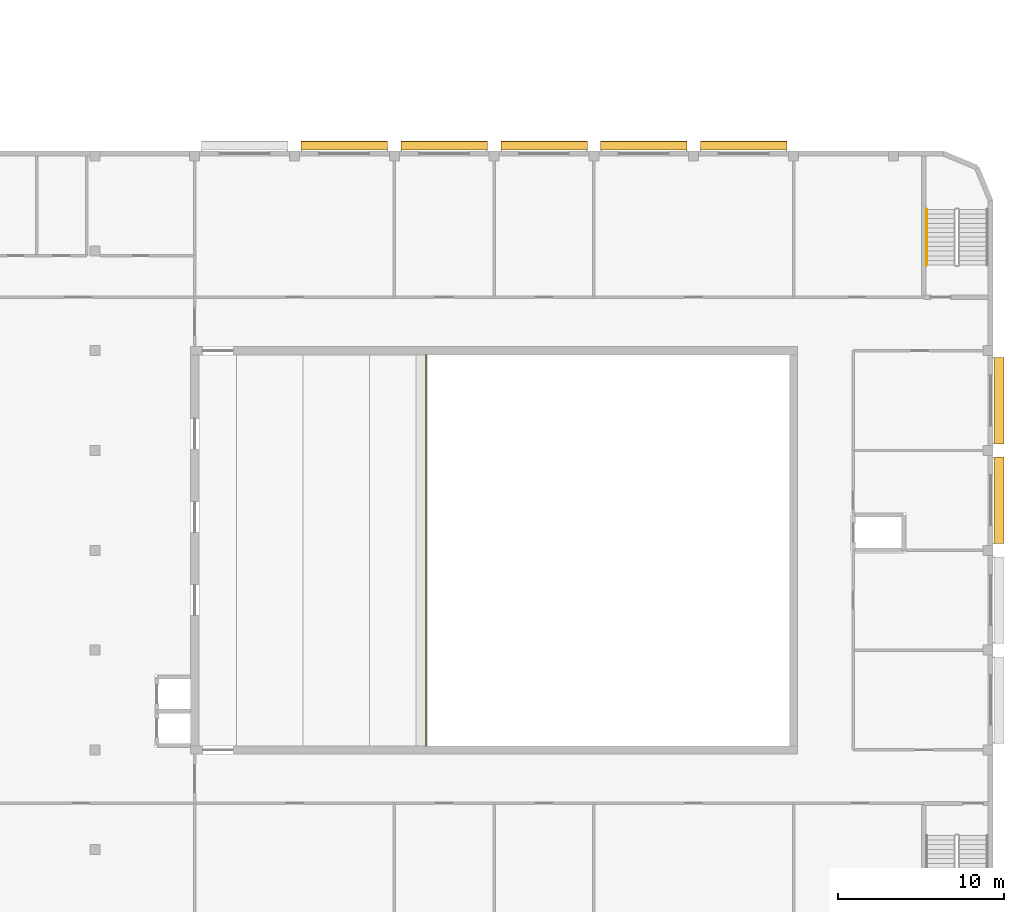
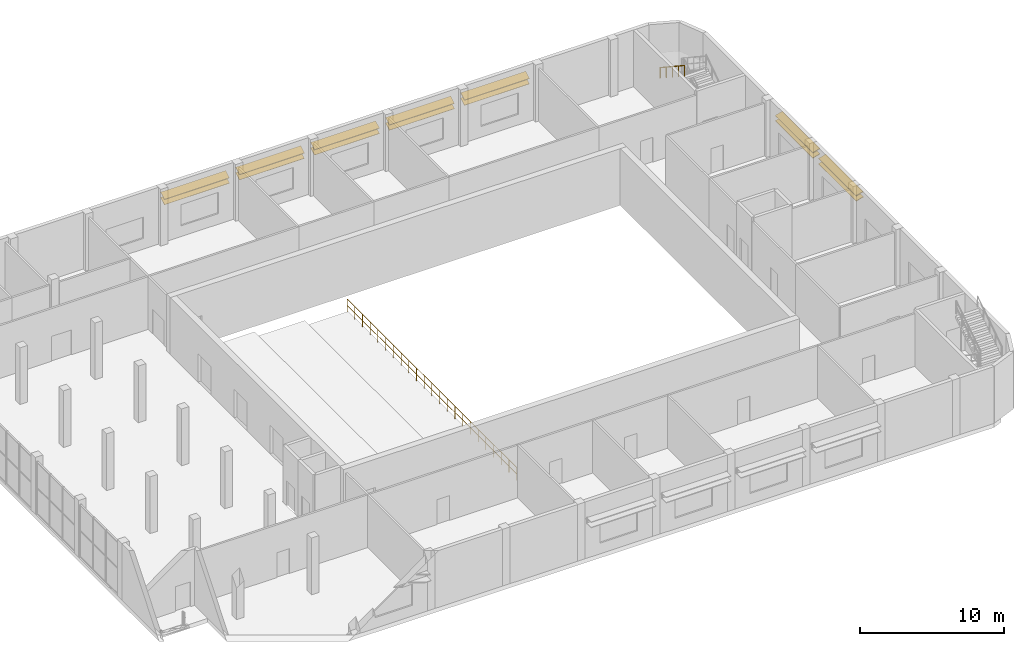
# One storey, part 44 of 45: 14 shading devices, 2 railings.
"""IFC4 building model written with IfcOpenShell, lengths in metres."""

import ifcopenshell
import ifcopenshell.guid

model = None  # the IFC model being written
_history = None  # IfcOwnerHistory: only IFC2X3 demands one
_inside = {}  # id of a spatial element -> (the spatial element, [elements in it])
_under = {}  # id of a project, library or spatial element -> (it, [spatial elements below it])
_declared = {}  # id of a project -> (the project, [libraries it declares])
_typed = {}  # id of a type object -> (the type object, [elements of that type])
_made_of = {}  # id of a material, layer set ... -> (it, [elements and type objects made of it])


def new_model(schema):
    """Start an empty IFC model of exactly this schema.

    Asked for "IFC4X3", IfcOpenShell would pick the latest addendum, in which some entities
    have other attributes; the version numbers below select the first issue.
    IFC2X3 requires an IfcOwnerHistory on every rooted entity: one is made here for all.
    """
    global model, _history
    if schema == "IFC4X3":
        model = ifcopenshell.file(schema_version=(4, 3, 0, 0))
    else:
        model = ifcopenshell.file(schema=schema)
    _inside.clear()
    _under.clear()
    _declared.clear()
    _typed.clear()
    _made_of.clear()
    _history = None
    if model.schema == "IFC2X3":
        org = make("IfcOrganization", Name="unknown")
        user = make(
            "IfcPersonAndOrganization",
            ThePerson=make("IfcPerson", FamilyName="unknown"),
            TheOrganization=org,
        )
        app = make(
            "IfcApplication",
            ApplicationDeveloper=org,
            Version="unknown",
            ApplicationFullName="unknown",
            ApplicationIdentifier="unknown",
        )
        _history = make(
            "IfcOwnerHistory",
            OwningUser=user,
            OwningApplication=app,
            ChangeAction="ADDED",
            CreationDate=0,
        )
    return model


def make(cls, **values):
    """One entity of the class cls with the attributes given. An attribute that is None is left unset."""
    return model.create_entity(
        cls, **{name: value for name, value in values.items() if value is not None}
    )


def rooted(cls, **values):
    """An entity with a GlobalId (a new one), such as an element, a storey or a relation."""
    return make(cls, GlobalId=ifcopenshell.guid.new(), OwnerHistory=_history, **values)


def si_unit(unit_type, name, prefix=None):
    """IfcSIUnit, for example si_unit("LENGTHUNIT", "METRE", prefix="MILLI")."""
    return make("IfcSIUnit", UnitType=unit_type, Prefix=prefix, Name=name)


def assignment(units):
    """IfcUnitAssignment: the units of a project."""
    return None if units is None else make("IfcUnitAssignment", Units=units)


def point(xyz):
    """IfcCartesianPoint."""
    return None if xyz is None else make("IfcCartesianPoint", Coordinates=xyz)


def direction(xyz):
    """IfcDirection."""
    return None if xyz is None else make("IfcDirection", DirectionRatios=xyz)


def frame(location, z_axis=None, x_axis=None):
    """IfcAxis2Placement3D, a coordinate frame: its origin and axes. An axis left out is left unset."""
    return make(
        "IfcAxis2Placement3D",
        Location=point(location),
        Axis=direction(z_axis),
        RefDirection=direction(x_axis),
    )


def frame_2d(location, x_axis=None):
    """IfcAxis2Placement2D, a coordinate frame in the plane: its origin and x axis."""
    return make(
        "IfcAxis2Placement2D", Location=point(location), RefDirection=direction(x_axis)
    )


def origin():
    """The frame at (0, 0, 0) with its axes left unset."""
    return frame((0.0, 0.0, 0.0))


def origin_2d():
    """The frame at (0, 0) in the plane with its x axis left unset."""
    return frame_2d((0.0, 0.0))


def place(relative_to, where):
    """IfcLocalPlacement: puts the frame where relative to a parent placement (None: the world)."""
    return make(
        "IfcLocalPlacement", PlacementRelTo=relative_to, RelativePlacement=where
    )


def context(
    kind, dimensions, precision=None, world=None, true_north=None, identifier=None
):
    """IfcGeometricRepresentationContext, for example the 3D "Model" context."""
    return make(
        "IfcGeometricRepresentationContext",
        ContextIdentifier=identifier,
        ContextType=kind,
        CoordinateSpaceDimension=dimensions,
        Precision=precision,
        WorldCoordinateSystem=world,
        TrueNorth=true_north,
    )


def subcontext(parent, identifier, kind, view, scale=None):
    """IfcGeometricRepresentationSubContext, for example "Body" below "Model"."""
    return make(
        "IfcGeometricRepresentationSubContext",
        ContextIdentifier=identifier,
        ContextType=kind,
        ParentContext=parent,
        TargetScale=scale,
        TargetView=view,
    )


def project(units=None, contexts=None):
    """IfcProject with its units and contexts."""
    return rooted(
        "IfcProject",
        Name="project",
        RepresentationContexts=contexts,
        UnitsInContext=assignment(units),
    )


def spatial(cls, under=None, at=None, **own):
    """A site, building, storey or space (cls), placed at a placement, below another one or the project."""
    s = rooted(cls, ObjectPlacement=at, **own)
    if under is not None:
        _under.setdefault(under.id(), (under, []))[1].append(s)
    return s


def profile(cls, at=None, kind="AREA", **sizes):
    """A parametric profile (cls). Its sizes go by their IFC names, for example OverallWidth=200.0."""
    return make(cls, ProfileType=kind, Position=at, **sizes)


def rectangle(**sizes):
    """IfcRectangleProfileDef."""
    return profile("IfcRectangleProfileDef", **sizes)


def circle(**sizes):
    """IfcCircleProfileDef."""
    return profile("IfcCircleProfileDef", **sizes)


def extrude(swept, where, along, depth):
    """IfcExtrudedAreaSolid: the profile swept, set in the frame where, extruded along a direction by depth."""
    return make(
        "IfcExtrudedAreaSolid",
        SweptArea=swept,
        Position=where,
        ExtrudedDirection=direction(along),
        Depth=depth,
    )


def shape(context_of_items, identifier, shape_type, items):
    """IfcShapeRepresentation: the items that make up one representation, for example the "Body"."""
    return make(
        "IfcShapeRepresentation",
        ContextOfItems=context_of_items,
        RepresentationIdentifier=identifier,
        RepresentationType=shape_type,
        Items=items,
    )


def material(Name=None, Category=None):
    """IfcMaterial."""
    return make("IfcMaterial", Name=Name, Category=Category)


def material_profile(
    of_material, cross_section, Name=None, Category=None, Priority=None
):
    """IfcMaterialProfile: a cross section and its material."""
    return make(
        "IfcMaterialProfile",
        Name=Name,
        Material=of_material,
        Profile=cross_section,
        Priority=Priority,
        Category=Category,
    )


def profile_set(profiles, Name=None, composite=None):
    """IfcMaterialProfileSet."""
    return make(
        "IfcMaterialProfileSet",
        Name=Name,
        MaterialProfiles=profiles,
        CompositeProfile=composite,
    )


def made_of(thing, what):
    """Note that an element or type object is made of a material, layer set ...; save() writes the relation."""
    if what is not None:
        _made_of.setdefault(what.id(), (what, []))[1].append(thing)
    return thing


def type_object(cls, material=None, **own):
    """A type object (cls), such as IfcWallType, which elements share."""
    return made_of(rooted(cls, **own), material)


def element(
    cls,
    number,
    at=None,
    inside=None,
    cuts=None,
    type_object=None,
    material=None,
    context=None,
    identifier="Body",
    shape_type=None,
    held_by="IfcProductDefinitionShape",
    body=None,
    shapes=None,
    **own,
):
    """One element of the class cls, such as IfcWall. Its Tag is "e" and its number.

    at: its placement. inside: the storey or other place that contains it. cuts: it is an
    opening in that element (IfcRelVoidsElement). A single representation is given by context,
    identifier, shape_type and body (its items); several are given by shapes. held_by: the class
    of the entity that holds the representations. save() writes the other relations.
    """
    e = rooted(cls, Tag="e%d" % number, ObjectPlacement=at, **own)
    if body is not None:
        shapes = [shape(context, identifier, shape_type, body)]
    if shapes is not None:
        e.Representation = make(held_by, Representations=shapes)
    if inside is not None:
        _inside.setdefault(inside.id(), (inside, []))[1].append(e)
    if cuts is not None:
        rooted(
            "IfcRelVoidsElement", RelatingBuildingElement=cuts, RelatedOpeningElement=e
        )
    if type_object is not None:
        _typed.setdefault(type_object.id(), (type_object, []))[1].append(e)
    return made_of(e, material)


def aggregate(whole, parts):
    """IfcRelAggregates: a whole, such as a stair, and the parts it consists of."""
    return rooted("IfcRelAggregates", RelatingObject=whole, RelatedObjects=parts)


def save(model, path):
    """Write the relations noted so far, then the file.

    IfcRelAggregates (storeys below a building ...), IfcRelContainedInSpatialStructure (elements
    in a storey), IfcRelDefinesByType, IfcRelAssociatesMaterial and IfcRelDeclares: one each for
    every whole, place, type object, material and project.
    """
    for whole, parts in _under.values():
        aggregate(whole, parts)
    for where, things in _inside.values():
        rooted(
            "IfcRelContainedInSpatialStructure",
            RelatedElements=things,
            RelatingStructure=where,
        )
    for kind, things in _typed.values():
        rooted("IfcRelDefinesByType", RelatedObjects=things, RelatingType=kind)
    for what, things in _made_of.values():
        rooted("IfcRelAssociatesMaterial", RelatedObjects=things, RelatingMaterial=what)
    for by, libraries in _declared.values():
        rooted("IfcRelDeclares", RelatingContext=by, RelatedDefinitions=libraries)
    model.write(path)


model = new_model("IFC4")

# Units and contexts
model_context = context("Model", 3, precision=1e-05, world=origin(), true_north=direction((0.0, 1.0)))
body_context = subcontext(model_context, "Body", "Model", "MODEL_VIEW")
ifc_project = project(units=[si_unit("LENGTHUNIT", "METRE"), si_unit("AREAUNIT", "SQUARE_METRE"), si_unit("VOLUMEUNIT", "CUBIC_METRE"), si_unit("PLANEANGLEUNIT", "RADIAN"), si_unit("MASSUNIT", "GRAM", prefix="KILO")], contexts=[model_context])

# Site, building, storey
site_placement = place(None, origin())
site = spatial("IfcSite", under=ifc_project, at=site_placement, CompositionType="ELEMENT")
building_placement = place(site_placement, origin())
building = spatial("IfcBuilding", under=site, at=building_placement, Name="Nakaniwa Court", CompositionType="ELEMENT")
storey_placement = place(building_placement, frame((0.0, 0.0, 6.60009765625)))
storey = spatial("IfcBuildingStorey", under=building, at=storey_placement, Name="L01", CompositionType="ELEMENT", Elevation=6.60009765625)

# Railing
ifc_material_1 = material(Name="Black powder-coated steel flat bar balustrade S275", Category="steel")
railing_type_1 = type_object("IfcRailingType", Name="Hall guard 1100", PredefinedType="GUARDRAIL", material=ifc_material_1)
railing_1_placement = place(storey_placement, frame((183.89990234375, 68.25, -1.35009765625)))
element("IfcRailing", 1, at=railing_1_placement, inside=storey, type_object=railing_type_1, Name="Balcony tier L01 front guard", PredefinedType="GUARDRAIL", context=body_context, shape_type="SweptSolid", body=[
    extrude(circle(Radius=0.02392578125, at=origin_2d()), frame((0.0, 0.0, 1.076171875), z_axis=(0.0, 1.0, 0.0), x_axis=(-1.0, 0.0, 0.0)), (0.0, 0.0, 1.0), 23.5),
    extrude(circle(Radius=0.02392578125, at=origin_2d()), frame((0.0, 0.0, 0.550048828125), z_axis=(0.0, 1.0, 0.0), x_axis=(-1.0, 0.0, 0.0)), (0.0, 0.0, 1.0), 23.5),
    extrude(circle(Radius=0.02099609375, at=origin_2d()), origin(), (0.0, 0.0, 1.0), 1.052001953125),
    extrude(circle(Radius=0.02099609375, at=origin_2d()), frame((0.0, 1.068115234375, 0.0)), (0.0, 0.0, 1.0), 1.052001953125),
    extrude(circle(Radius=0.02099609375, at=origin_2d()), frame((0.0, 2.136474609375, 0.0)), (0.0, 0.0, 1.0), 1.052001953125),
    extrude(circle(Radius=0.02099609375, at=origin_2d()), frame((0.0, 3.20458984375, 0.0)), (0.0, 0.0, 1.0), 1.052001953125),
    extrude(circle(Radius=0.02099609375, at=origin_2d()), frame((0.0, 4.272705078125, 0.0)), (0.0, 0.0, 1.0), 1.052001953125),
    extrude(circle(Radius=0.02099609375, at=origin_2d()), frame((0.0, 5.3408203125, 0.0)), (0.0, 0.0, 1.0), 1.052001953125),
    extrude(circle(Radius=0.02099609375, at=origin_2d()), frame((0.0, 6.4091796875, 0.0)), (0.0, 0.0, 1.0), 1.052001953125),
    extrude(circle(Radius=0.02099609375, at=origin_2d()), frame((0.0, 7.477294921875, 0.0)), (0.0, 0.0, 1.0), 1.052001953125),
    extrude(circle(Radius=0.02099609375, at=origin_2d()), frame((0.0, 8.54541015625, 0.0)), (0.0, 0.0, 1.0), 1.052001953125),
    extrude(circle(Radius=0.02099609375, at=origin_2d()), frame((0.0, 9.613525390625, 0.0)), (0.0, 0.0, 1.0), 1.052001953125),
    extrude(circle(Radius=0.02099609375, at=origin_2d()), frame((0.0, 10.681884765625, 0.0)), (0.0, 0.0, 1.0), 1.052001953125),
    extrude(circle(Radius=0.02099609375, at=origin_2d()), frame((0.0, 11.75, 0.0)), (0.0, 0.0, 1.0), 1.052001953125),
    extrude(circle(Radius=0.02099609375, at=origin_2d()), frame((0.0, 12.818115234375, 0.0)), (0.0, 0.0, 1.0), 1.052001953125),
    extrude(circle(Radius=0.02099609375, at=origin_2d()), frame((0.0, 13.886474609375, 0.0)), (0.0, 0.0, 1.0), 1.052001953125),
    extrude(circle(Radius=0.02099609375, at=origin_2d()), frame((0.0, 14.95458984375, 0.0)), (0.0, 0.0, 1.0), 1.052001953125),
    extrude(circle(Radius=0.02099609375, at=origin_2d()), frame((0.0, 16.022705078125, 0.0)), (0.0, 0.0, 1.0), 1.052001953125),
    extrude(circle(Radius=0.02099609375, at=origin_2d()), frame((0.0, 17.0908203125, 0.0)), (0.0, 0.0, 1.0), 1.052001953125),
    extrude(circle(Radius=0.02099609375, at=origin_2d()), frame((0.0, 18.1591796875, 0.0)), (0.0, 0.0, 1.0), 1.052001953125),
    extrude(circle(Radius=0.02099609375, at=origin_2d()), frame((0.0, 19.227294921875, 0.0)), (0.0, 0.0, 1.0), 1.052001953125),
    extrude(circle(Radius=0.02099609375, at=origin_2d()), frame((0.0, 20.29541015625, 0.0)), (0.0, 0.0, 1.0), 1.052001953125),
    extrude(circle(Radius=0.02099609375, at=origin_2d()), frame((0.0, 21.363525390625, 0.0)), (0.0, 0.0, 1.0), 1.052001953125),
    extrude(circle(Radius=0.02099609375, at=origin_2d()), frame((0.0, 22.431884765625, 0.0)), (0.0, 0.0, 1.0), 1.052001953125),
    extrude(circle(Radius=0.02099609375, at=origin_2d()), frame((0.0, 23.5, 0.0)), (0.0, 0.0, 1.0), 1.052001953125),
])

# Shading devices
ifc_material_2 = material(Name="Perforated charcoal ceramic louvre blade")
ifc_material_profile = material_profile(ifc_material_2, rectangle(XDim=0.60009765625, YDim=0.050048828125, at=origin_2d()), Name="Hall perforated ceramic louvre blade")
ifc_profile_set = profile_set([ifc_material_profile], Name="Perforated charcoal ceramic louvre blade")
shading_device_type = type_object("IfcShadingDeviceType", Name="Hall perforated ceramic louvre blade", PredefinedType="JALOUSIE", material=ifc_profile_set)
for number, where, z_axis, x_axis, name in (
    (2, (176.39990234375, 104.332275390625, 3.0), (1.0, 0.0, 0.0), (0.0, 0.866025403784, 0.5), "Louvre blade L01 014.1"),
    (3, (176.39990234375, 104.332275390625, 3.449951171875), (1.0, 0.0, 0.0), (0.0, 0.866025403784, 0.5), "Louvre blade L01 014.2"),
    (4, (182.39990234375, 104.332275390625, 3.0), (1.0, 0.0, 0.0), (0.0, 0.866025403784, 0.5), "Louvre blade L01 015.1"),
    (5, (182.39990234375, 104.332275390625, 3.449951171875), (1.0, 0.0, 0.0), (0.0, 0.866025403784, 0.5), "Louvre blade L01 015.2"),
    (6, (188.39990234375, 104.332275390625, 3.0), (1.0, 0.0, 0.0), (0.0, 0.866025403784, 0.5), "Louvre blade L01 016.1"),
    (7, (188.39990234375, 104.332275390625, 3.449951171875), (1.0, 0.0, 0.0), (0.0, 0.866025403784, 0.5), "Louvre blade L01 016.2"),
    (8, (194.39990234375, 104.332275390625, 3.0), (1.0, 0.0, 0.0), (0.0, 0.866025403784, 0.5), "Louvre blade L01 017.1"),
    (9, (194.39990234375, 104.332275390625, 3.449951171875), (1.0, 0.0, 0.0), (0.0, 0.866025403784, 0.5), "Louvre blade L01 017.2"),
    (10, (200.39990234375, 104.332275390625, 3.0), (1.0, 0.0, 0.0), (0.0, 0.866025403784, 0.5), "Louvre blade L01 018.1"),
    (11, (200.39990234375, 104.332275390625, 3.449951171875), (1.0, 0.0, 0.0), (0.0, 0.866025403784, 0.5), "Louvre blade L01 018.2"),
    (12, (218.356201171875, 91.60009765625, 3.0), (0.0, -1.0, 0.0), (0.965925826289, 0.0, 0.258819045103), "Louvre blade L01 024.1"),
    (13, (218.356201171875, 91.60009765625, 3.449951171875), (0.0, -1.0, 0.0), (0.965925826289, 0.0, 0.258819045103), "Louvre blade L01 024.2"),
    (14, (218.356201171875, 85.60009765625, 3.0), (0.0, -1.0, 0.0), (0.965925826289, 0.0, 0.258819045103), "Louvre blade L01 025.1"),
    (15, (218.356201171875, 85.60009765625, 3.449951171875), (0.0, -1.0, 0.0), (0.965925826289, 0.0, 0.258819045103), "Louvre blade L01 025.2"),
):
    element("IfcShadingDevice", number, at=place(storey_placement, frame(where, z_axis=z_axis, x_axis=x_axis)), inside=storey, type_object=shading_device_type, Name=name, PredefinedType="JALOUSIE", context=body_context, shape_type="SweptSolid", body=[
        extrude(rectangle(XDim=0.60009765625, YDim=0.050048828125, at=origin_2d()), origin(), (0.0, 0.0, 1.0), 5.2001953125),
    ])

# Railing
ifc_material_3 = material(Name="Brushed stainless steel handrail Grade 304", Category="steel")
railing_type_2 = type_object("IfcRailingType", Name="Hall stair handrail 900", PredefinedType="HANDRAIL", material=ifc_material_3)
railing_2_placement = place(storey_placement, frame((214.0, 100.5, 2.58447265625)))
element("IfcRailing", 16, at=railing_2_placement, inside=storey, type_object=railing_type_2, Name="L01 ST-H4 stair handrail 2", PredefinedType="HANDRAIL", context=body_context, shape_type="SweptSolid", body=[
    extrude(circle(Radius=0.02392578125, at=origin_2d()), frame((0.0, 0.0, 0.8759765625), z_axis=(0.0, -0.834876476806, 0.550437342915), x_axis=(1.0, 0.0, 0.0)), (0.0, 0.0, 1.0), 4.024658203125),
    extrude(circle(Radius=0.02099609375, at=origin_2d()), origin(), (0.0, 0.0, 1.0), 0.851806640625),
    extrude(circle(Radius=0.02099609375, at=origin_2d()), frame((0.0, -0.840087890625, 0.5537109375)), (0.0, 0.0, 1.0), 0.851806640625),
    extrude(circle(Radius=0.02099609375, at=origin_2d()), frame((0.0, -1.68017578125, 1.107666015625)), (0.0, 0.0, 1.0), 0.851806640625),
    extrude(circle(Radius=0.02099609375, at=origin_2d()), frame((0.0, -2.52001953125, 1.66162109375)), (0.0, 0.0, 1.0), 0.851806640625),
    extrude(circle(Radius=0.02099609375, at=origin_2d()), frame((0.0, -3.360107421875, 2.21533203125)), (0.0, 0.0, 1.0), 0.851806640625),
])

save(model, "model.ifc")
